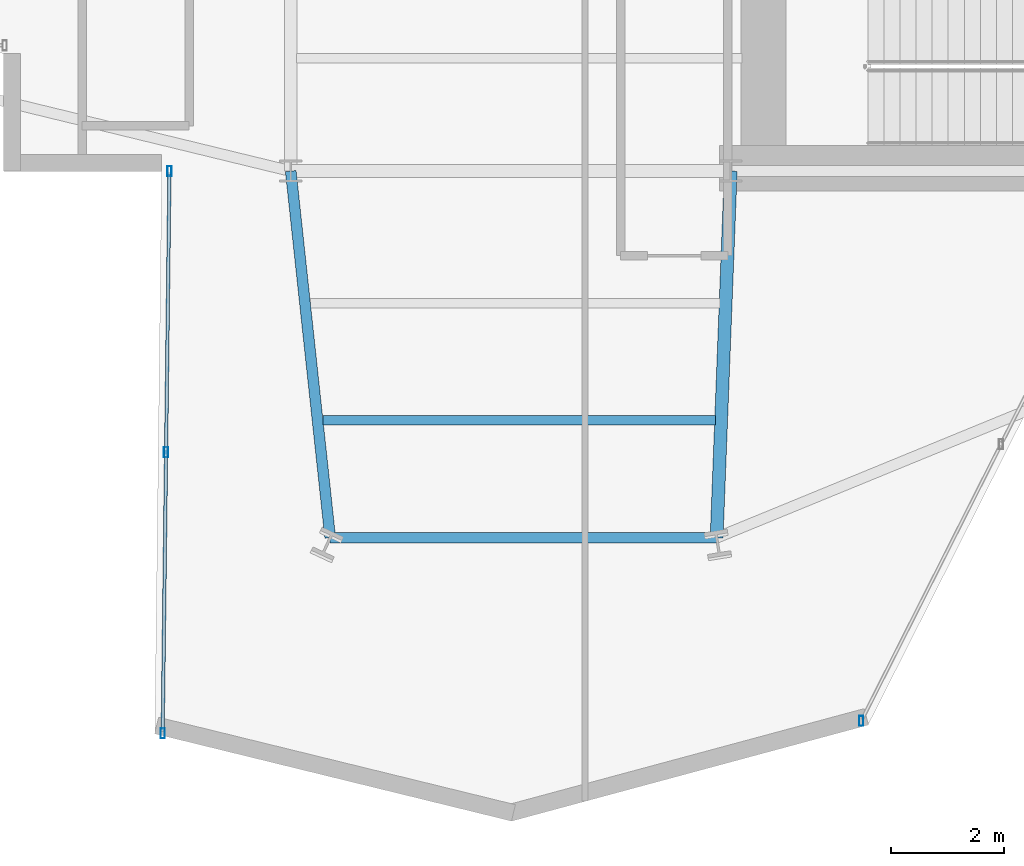
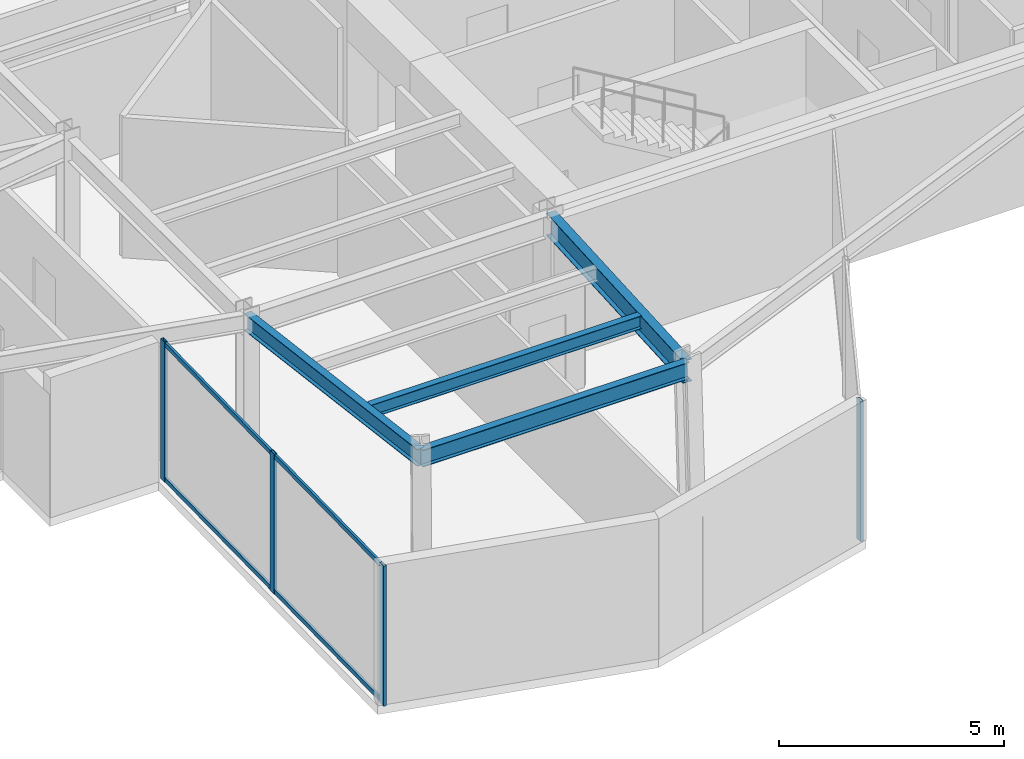
# One storey, part 4 of 25: 6 members, 4 beams, 2 elements without a shape of their own.
"""IFC4 building model written with IfcOpenShell, lengths in metres."""

from ifc_helpers import new_model, si_unit, direction, frame, origin, origin_2d, place, context, subcontext, project, spatial, hollow_rectangle, i_section, extrude, material, layer, layer_set, material_profile, profile_set, type_object, element, aggregate, save


model = new_model("IFC4")

# Units and contexts
model_context = context("Model", 3, precision=1e-05, world=origin(), true_north=direction((0.0, 1.0)))
body_context = subcontext(model_context, "Body", "Model", "MODEL_VIEW")
ifc_project = project(units=[si_unit("LENGTHUNIT", "METRE"), si_unit("AREAUNIT", "SQUARE_METRE"), si_unit("VOLUMEUNIT", "CUBIC_METRE"), si_unit("PLANEANGLEUNIT", "RADIAN"), si_unit("MASSUNIT", "GRAM", prefix="KILO")], contexts=[model_context])

# Site, building, storey
site_placement = place(None, origin())
site = spatial("IfcSite", under=ifc_project, at=site_placement, CompositionType="ELEMENT")
building_placement = place(site_placement, origin())
building = spatial("IfcBuilding", under=site, at=building_placement, Name="Veymaron Broadcast Tower", CompositionType="ELEMENT")
storey_placement = place(building_placement, frame((0.0, 0.0, 137.10009765625)))
storey = spatial("IfcBuildingStorey", under=building, at=storey_placement, Name="L31", CompositionType="ELEMENT", Elevation=137.10009765625)

# Beams
ifc_material_1 = material(Name="Structural steel ASTM A992 Gr 50", Category="steel")
ifc_material_profile_1 = material_profile(ifc_material_1, i_section(OverallWidth=0.22802734375, OverallDepth=0.60791015625, WebThickness=0.01123046875, FlangeThickness=0.017333984375, at=origin_2d()), Name="W610X113")
ifc_profile_set_1 = profile_set([ifc_material_profile_1], Name="Structural steel ASTM A992 Gr 50")
beam_type_1 = type_object("IfcBeamType", Name="BM-FG2", PredefinedType="BEAM", material=ifc_profile_set_1)
beam_1_placement = place(storey_placement, frame((39.0, 16.0, 3.505859375), z_axis=(-0.038433122101, -0.999261174631, 0.0), x_axis=(0.999261174631, -0.038433122101, 0.0)))
element("IfcBeam", 1, at=beam_1_placement, inside=storey, type_object=beam_type_1, Name="L31 primary structural floor girder", PredefinedType="BEAM", context=body_context, shape_type="SweptSolid", body=[
    extrude(i_section(OverallWidth=0.22802734375, OverallDepth=0.60791015625, WebThickness=0.01123046875, FlangeThickness=0.017333984375, at=origin_2d()), origin(), (0.0, 0.0, 1.0), 6.5048828125),
])
ifc_material_profile_2 = material_profile(ifc_material_1, i_section(OverallWidth=0.1708984375, OverallDepth=0.35498046875, WebThickness=0.007080078125, FlangeThickness=0.01171875, at=origin_2d()), Name="W360X51")
ifc_profile_set_2 = profile_set([ifc_material_profile_2], Name="Structural steel ASTM A992 Gr 50")
beam_type_2 = type_object("IfcBeamType", Name="BM-JS2", PredefinedType="JOIST", material=ifc_profile_set_2)
beam_2_placement = place(storey_placement, frame((31.77587890625, 11.580078125, 3.63232421875), z_axis=(1.0, 0.0, 0.0), x_axis=(0.0, 1.0, 0.0)))
element("IfcBeam", 2, at=beam_2_placement, inside=storey, type_object=beam_type_2, Name="L31 Arm-C secondary joist 2", PredefinedType="JOIST", context=body_context, shape_type="SweptSolid", body=[
    extrude(i_section(OverallWidth=0.1708984375, OverallDepth=0.35498046875, WebThickness=0.007080078125, FlangeThickness=0.01171875, at=origin_2d()), origin(), (0.0, 0.0, 1.0), 6.9541015625),
])
ifc_material_profile_3 = material_profile(ifc_material_1, i_section(OverallWidth=0.19091796875, OverallDepth=0.4599609375, WebThickness=0.010009765625, FlangeThickness=0.01611328125, at=origin_2d()), Name="W460X82")
ifc_profile_set_3 = profile_set([ifc_material_profile_3], Name="Structural steel ASTM A992 Gr 50")
beam_type_3 = type_object("IfcBeamType", Name="BM-SP1", PredefinedType="SPANDREL", material=ifc_profile_set_3)
beam_3_placement = place(storey_placement, frame((31.199951171875, 16.0, 3.579833984375), z_axis=(0.107065816505, -0.994251935344, 0.0), x_axis=(0.994251935344, 0.107065816505, 0.0)))
element("IfcBeam", 3, at=beam_3_placement, inside=storey, type_object=beam_type_3, Name="L31 primary structural floor girder", PredefinedType="SPANDREL", context=body_context, shape_type="SweptSolid", body=[
    extrude(i_section(OverallWidth=0.19091796875, OverallDepth=0.4599609375, WebThickness=0.010009765625, FlangeThickness=0.01611328125, at=origin_2d()), origin(), (0.0, 0.0, 1.0), 6.53759765625),
])
beam_4_placement = place(storey_placement, frame((31.89990234375, 9.5, 3.579833984375), z_axis=(1.0, 0.0, 0.0), x_axis=(0.0, 1.0, 0.0)))
element("IfcBeam", 4, at=beam_4_placement, inside=storey, type_object=beam_type_3, Name="L31 primary structural floor girder", PredefinedType="SPANDREL", context=body_context, shape_type="SweptSolid", body=[
    extrude(i_section(OverallWidth=0.19091796875, OverallDepth=0.4599609375, WebThickness=0.010009765625, FlangeThickness=0.01611328125, at=origin_2d()), origin(), (0.0, 0.0, 1.0), 6.85009765625),
])

# Curtain wall, members
ifc_material_2 = material(Name="Anodised aluminium AA 6063-T6 and laminated low-E dark glass", Category="aluminium")
ifc_layer = layer(ifc_material_2, 0.179931640625)
ifc_layer_set = layer_set([ifc_layer], Name="Anodised aluminium AA 6063-T6 and laminated low-E dark glass")
curtain_wall_type = type_object("IfcCurtainWallType", Name="CW-SYS-03", PredefinedType="NOTDEFINED", material=ifc_layer_set)
curtain_wall_1_placement = place(storey_placement, origin())
curtain_wall_1 = element("IfcCurtainWall", 5, at=curtain_wall_1_placement, inside=storey, type_object=curtain_wall_type, Name="L31 dark-glass curtain wall CW-L31-E17-1", PredefinedType="NOTDEFINED")
ifc_material_3 = material(Name="Anodised aluminium AA 6063-T6", Category="aluminium")
ifc_material_profile_4 = material_profile(ifc_material_3, hollow_rectangle(XDim=0.074951171875, YDim=0.179931640625, WallThickness=0.0048828125, at=origin_2d()), Name="AL180X75X5")
ifc_profile_set_4 = profile_set([ifc_material_profile_4], Name="Anodised aluminium AA 6063-T6")
member_type_1 = type_object("IfcMemberType", Name="CW-MUL-02", PredefinedType="MULLION", material=ifc_profile_set_4)
member_1_placement = place(storey_placement, frame((29.05029296875, 15.998291015625, 0.0), z_axis=(0.0, 0.0, 1.0), x_axis=(1.0, 0.0, 0.0)))
member_1 = element("IfcMember", 6, at=member_1_placement, type_object=member_type_1, Name="CW-L31-E17-1 mullion 0", PredefinedType="MULLION", context=body_context, shape_type="SweptSolid", body=[
    extrude(hollow_rectangle(XDim=0.074951171875, YDim=0.179931640625, WallThickness=0.0048828125, at=origin_2d()), origin(), (0.0, 0.0, 1.0), 3.809814453125),
])
member_2_placement = place(storey_placement, frame((28.989990234375, 11.015869140625, 0.0), z_axis=(0.0, 0.0, 1.0), x_axis=(1.0, 0.0, 0.0)))
member_2 = element("IfcMember", 7, at=member_2_placement, type_object=member_type_1, Name="CW-L31-E17-1 mullion 1", PredefinedType="MULLION", context=body_context, shape_type="SweptSolid", body=[
    extrude(hollow_rectangle(XDim=0.074951171875, YDim=0.179931640625, WallThickness=0.0048828125, at=origin_2d()), origin(), (0.0, 0.0, 1.0), 3.809814453125),
])
member_3_placement = place(storey_placement, frame((28.929931640625, 6.033203125, 0.0), z_axis=(0.0, 0.0, 1.0), x_axis=(1.0, 0.0, 0.0)))
member_3 = element("IfcMember", 8, at=member_3_placement, type_object=member_type_1, Name="CW-L31-E17-1 mullion 2", PredefinedType="MULLION", context=body_context, shape_type="SweptSolid", body=[
    extrude(hollow_rectangle(XDim=0.074951171875, YDim=0.179931640625, WallThickness=0.0048828125, at=origin_2d()), origin(), (0.0, 0.0, 1.0), 3.809814453125),
])

# Curtain wall, member
curtain_wall_2_placement = place(storey_placement, origin())
curtain_wall_2 = element("IfcCurtainWall", 9, at=curtain_wall_2_placement, inside=storey, type_object=curtain_wall_type, Name="L31 dark-glass curtain wall CW-L31-E20-1", PredefinedType="NOTDEFINED")
member_4_placement = place(storey_placement, frame((41.31494140625, 6.253173828125, 0.0), z_axis=(0.0, 0.0, 1.0), x_axis=(1.0, 0.0, 0.0)))
member_4 = element("IfcMember", 10, at=member_4_placement, type_object=member_type_1, Name="CW-L31-E20-1 mullion 0", PredefinedType="MULLION", context=body_context, shape_type="SweptSolid", body=[
    extrude(hollow_rectangle(XDim=0.074951171875, YDim=0.179931640625, WallThickness=0.0048828125, at=origin_2d()), origin(), (0.0, 0.0, 1.0), 3.809814453125),
])
aggregate(curtain_wall_2, [member_4])

# Member
ifc_material_profile_5 = material_profile(ifc_material_3, hollow_rectangle(XDim=0.06005859375, YDim=0.1201171875, WallThickness=0.00390625, at=origin_2d()), Name="AL120X60X4")
ifc_profile_set_5 = profile_set([ifc_material_profile_5], Name="Anodised aluminium AA 6063-T6")
member_type_2 = type_object("IfcMemberType", Name="CW-TRN-02", PredefinedType="USERDEFINED", material=ifc_profile_set_5)
member_5_placement = place(storey_placement, frame((29.0498046875, 15.9482421875, 0.06982421875), z_axis=(-0.012076234683, -0.999927079619, 0.0), x_axis=(0.999927079619, -0.012076234683, 0.0)))
member_5 = element("IfcMember", 11, at=member_5_placement, type_object=member_type_2, Name="CW-L31-E17-1 transom B", ObjectType="TRANSOM", PredefinedType="USERDEFINED", context=body_context, shape_type="SweptSolid", body=[
    extrude(hollow_rectangle(XDim=0.06005859375, YDim=0.1201171875, WallThickness=0.00390625, at=origin_2d()), origin(), (0.0, 0.0, 1.0), 9.86572265625),
])

member_6_placement = place(storey_placement, frame((29.0498046875, 15.9482421875, 3.739990234375), z_axis=(-0.012076234683, -0.999927079619, 0.0), x_axis=(0.999927079619, -0.012076234683, 0.0)))
member_6 = element("IfcMember", 12, at=member_6_placement, type_object=member_type_2, Name="CW-L31-E17-1 transom T", ObjectType="TRANSOM", PredefinedType="USERDEFINED", context=body_context, shape_type="SweptSolid", body=[
    extrude(hollow_rectangle(XDim=0.06005859375, YDim=0.1201171875, WallThickness=0.00390625, at=origin_2d()), origin(), (0.0, 0.0, 1.0), 9.86572265625),
])

aggregate(curtain_wall_1, [member_1, member_2, member_3, member_5, member_6])

save(model, "model.ifc")
